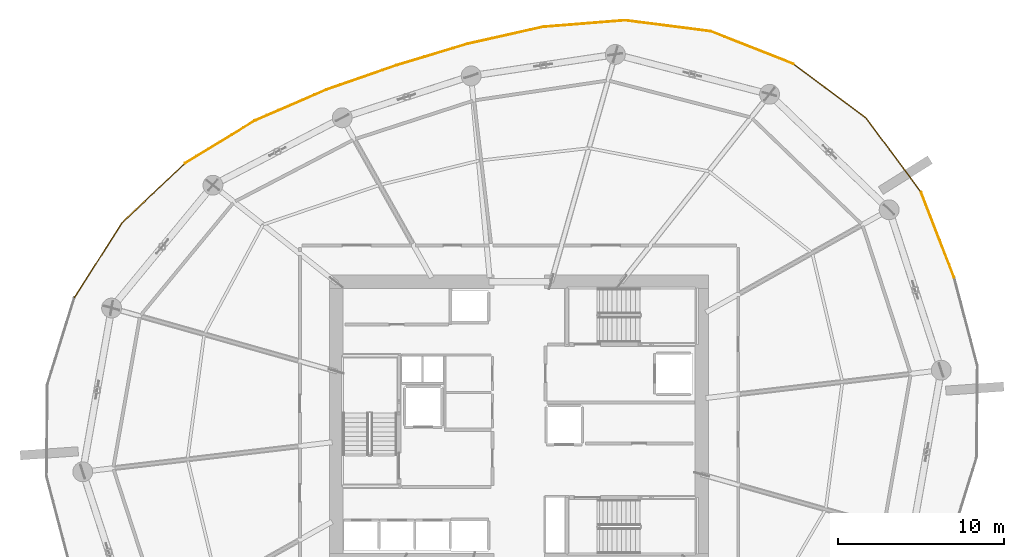
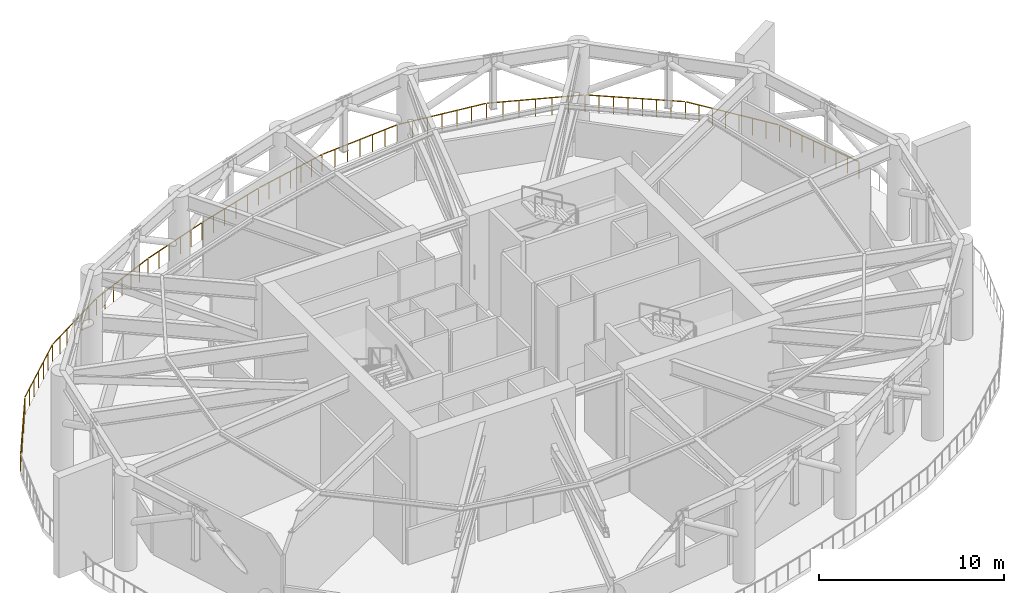
# One storey, part 19 of 19: 13 railings.
"""IFC4 building model written with IfcOpenShell, lengths in metres."""

from ifc_helpers import new_model, si_unit, direction, frame, origin, origin_2d, place, context, subcontext, project, spatial, rectangle, extrude, material, type_object, element, save


model = new_model("IFC4")

# Units and contexts
model_context = context("Model", 3, precision=1e-05, world=origin(), true_north=direction((0.0, 1.0)))
body_context = subcontext(model_context, "Body", "Model", "MODEL_VIEW")
ifc_project = project(units=[si_unit("LENGTHUNIT", "METRE"), si_unit("AREAUNIT", "SQUARE_METRE"), si_unit("VOLUMEUNIT", "CUBIC_METRE"), si_unit("PLANEANGLEUNIT", "RADIAN"), si_unit("MASSUNIT", "GRAM", prefix="KILO")], contexts=[model_context])

# Site, building, storey
site_placement = place(None, origin())
site = spatial("IfcSite", under=ifc_project, at=site_placement, CompositionType="ELEMENT")
building_placement = place(site_placement, origin())
building = spatial("IfcBuilding", under=site, at=building_placement, Name="Kazma Halo Residences", CompositionType="ELEMENT")
storey_placement = place(building_placement, frame((0.0, 0.0, 116.39990234375)))
storey = spatial("IfcBuildingStorey", under=building, at=storey_placement, Name="L29", CompositionType="ELEMENT", Elevation=116.39990234375)

# Railings
ifc_material = material(Name="Brushed Stainless Steel and Laminated Glass", Category="steel")
railing_type = type_object("IfcRailingType", Name="RLG-EXT-GUARD-1150", PredefinedType="GUARDRAIL", material=ifc_material)
railing_1_placement = place(storey_placement, frame((74.67138671875, 50.666015625, 0.0)))
element("IfcRailing", 1, at=railing_1_placement, inside=storey, type_object=railing_type, Name="L29 open wind-floor perimeter guard 01", PredefinedType="GUARDRAIL", context=body_context, shape_type="SweptSolid", body=[
    extrude(rectangle(XDim=0.050048828125, YDim=0.050048828125, at=origin_2d()), frame((-0.015380859375, 0.03955078125, 1.125), z_axis=(-0.362100806921, 0.93213894116, 0.0), x_axis=(-0.93213894116, -0.362100806921, 0.0)), (0.0, 0.0, 1.0), 5.440185546875),
    extrude(rectangle(XDim=0.0400390625, YDim=0.0400390625, at=origin_2d()), origin(), (0.0, 0.0, 1.0), 1.087890625),
    extrude(rectangle(XDim=0.0400390625, YDim=0.0400390625, at=origin_2d()), frame((-0.285888671875, 0.73583984375, 0.0)), (0.0, 0.0, 1.0), 1.087890625),
    extrude(rectangle(XDim=0.0400390625, YDim=0.0400390625, at=origin_2d()), frame((-0.571533203125, 1.471435546875, 0.0)), (0.0, 0.0, 1.0), 1.087890625),
    extrude(rectangle(XDim=0.0400390625, YDim=0.0400390625, at=origin_2d()), frame((-0.857421875, 2.207275390625, 0.0)), (0.0, 0.0, 1.0), 1.087890625),
    extrude(rectangle(XDim=0.0400390625, YDim=0.0400390625, at=origin_2d()), frame((-1.143310546875, 2.943115234375, 0.0)), (0.0, 0.0, 1.0), 1.087890625),
    extrude(rectangle(XDim=0.0400390625, YDim=0.0400390625, at=origin_2d()), frame((-1.42919921875, 3.678955078125, 0.0)), (0.0, 0.0, 1.0), 1.087890625),
    extrude(rectangle(XDim=0.0400390625, YDim=0.0400390625, at=origin_2d()), frame((-1.71484375, 4.41455078125, 0.0)), (0.0, 0.0, 1.0), 1.087890625),
    extrude(rectangle(XDim=0.0400390625, YDim=0.0400390625, at=origin_2d()), frame((-2.000732421875, 5.150390625, 0.0)), (0.0, 0.0, 1.0), 1.087890625),
])
railing_2_placement = place(storey_placement, frame((72.670654296875, 55.81640625, 0.0)))
element("IfcRailing", 2, at=railing_2_placement, inside=storey, type_object=railing_type, Name="L29 open wind-floor perimeter guard 02", PredefinedType="GUARDRAIL", context=body_context, shape_type="SweptSolid", body=[
    extrude(rectangle(XDim=0.050048828125, YDim=0.050048828125, at=origin_2d()), frame((-0.025390625, 0.0341796875, 1.125), z_axis=(-0.59531307632, 0.803493833929, 0.0), x_axis=(-0.803493833929, -0.59531307632, 0.0)), (0.0, 0.0, 1.0), 5.4443359375),
    extrude(rectangle(XDim=0.0400390625, YDim=0.0400390625, at=origin_2d()), origin(), (0.0, 0.0, 1.0), 1.087890625),
    extrude(rectangle(XDim=0.0400390625, YDim=0.0400390625, at=origin_2d()), frame((-0.47021484375, 0.634765625, 0.0)), (0.0, 0.0, 1.0), 1.087890625),
    extrude(rectangle(XDim=0.0400390625, YDim=0.0400390625, at=origin_2d()), frame((-0.9404296875, 1.269287109375, 0.0)), (0.0, 0.0, 1.0), 1.087890625),
    extrude(rectangle(XDim=0.0400390625, YDim=0.0400390625, at=origin_2d()), frame((-1.41064453125, 1.904052734375, 0.0)), (0.0, 0.0, 1.0), 1.087890625),
    extrude(rectangle(XDim=0.0400390625, YDim=0.0400390625, at=origin_2d()), frame((-1.881103515625, 2.538818359375, 0.0)), (0.0, 0.0, 1.0), 1.087890625),
    extrude(rectangle(XDim=0.0400390625, YDim=0.0400390625, at=origin_2d()), frame((-2.351318359375, 3.173583984375, 0.0)), (0.0, 0.0, 1.0), 1.087890625),
    extrude(rectangle(XDim=0.0400390625, YDim=0.0400390625, at=origin_2d()), frame((-2.821533203125, 3.80810546875, 0.0)), (0.0, 0.0, 1.0), 1.087890625),
    extrude(rectangle(XDim=0.0400390625, YDim=0.0400390625, at=origin_2d()), frame((-3.291748046875, 4.44287109375, 0.0)), (0.0, 0.0, 1.0), 1.087890625),
])
railing_3_placement = place(storey_placement, frame((69.37890625, 60.25927734375, 0.0)))
element("IfcRailing", 3, at=railing_3_placement, inside=storey, type_object=railing_type, Name="L29 open wind-floor perimeter guard 03", PredefinedType="GUARDRAIL", context=body_context, shape_type="SweptSolid", body=[
    extrude(rectangle(XDim=0.050048828125, YDim=0.050048828125, at=origin_2d()), frame((-0.0341796875, 0.025390625, 1.125), z_axis=(-0.801487224594, 0.598011896882, 0.0), x_axis=(-0.598011896882, -0.801487224594, 0.0)), (0.0, 0.0, 1.0), 5.40185546875),
    extrude(rectangle(XDim=0.0400390625, YDim=0.0400390625, at=origin_2d()), origin(), (0.0, 0.0, 1.0), 1.087890625),
    extrude(rectangle(XDim=0.0400390625, YDim=0.0400390625, at=origin_2d()), frame((-0.628173828125, 0.46875, 0.0)), (0.0, 0.0, 1.0), 1.087890625),
    extrude(rectangle(XDim=0.0400390625, YDim=0.0400390625, at=origin_2d()), frame((-1.256591796875, 0.9375, 0.0)), (0.0, 0.0, 1.0), 1.087890625),
    extrude(rectangle(XDim=0.0400390625, YDim=0.0400390625, at=origin_2d()), frame((-1.884765625, 1.40625, 0.0)), (0.0, 0.0, 1.0), 1.087890625),
    extrude(rectangle(XDim=0.0400390625, YDim=0.0400390625, at=origin_2d()), frame((-2.512939453125, 1.875, 0.0)), (0.0, 0.0, 1.0), 1.087890625),
    extrude(rectangle(XDim=0.0400390625, YDim=0.0400390625, at=origin_2d()), frame((-3.14111328125, 2.34375, 0.0)), (0.0, 0.0, 1.0), 1.087890625),
    extrude(rectangle(XDim=0.0400390625, YDim=0.0400390625, at=origin_2d()), frame((-3.76953125, 2.8125, 0.0)), (0.0, 0.0, 1.0), 1.087890625),
    extrude(rectangle(XDim=0.0400390625, YDim=0.0400390625, at=origin_2d()), frame((-4.397705078125, 3.28125, 0.0)), (0.0, 0.0, 1.0), 1.087890625),
])
railing_4_placement = place(storey_placement, frame((64.981201171875, 63.54052734375, 0.0)))
element("IfcRailing", 4, at=railing_4_placement, inside=storey, type_object=railing_type, Name="L29 open wind-floor perimeter guard 04", PredefinedType="GUARDRAIL", context=body_context, shape_type="SweptSolid", body=[
    extrude(rectangle(XDim=0.050048828125, YDim=0.050048828125, at=origin_2d()), frame((-0.03955078125, 0.015625, 1.125), z_axis=(-0.93031309232, 0.366766342864, 0.0), x_axis=(-0.366766342864, -0.93031309232, 0.0)), (0.0, 0.0, 1.0), 5.290771484375),
    extrude(rectangle(XDim=0.0400390625, YDim=0.0400390625, at=origin_2d()), origin(), (0.0, 0.0, 1.0), 1.087890625),
    extrude(rectangle(XDim=0.0400390625, YDim=0.0400390625, at=origin_2d()), frame((-0.83349609375, 0.32861328125, 0.0)), (0.0, 0.0, 1.0), 1.087890625),
    extrude(rectangle(XDim=0.0400390625, YDim=0.0400390625, at=origin_2d()), frame((-1.6669921875, 0.6572265625, 0.0)), (0.0, 0.0, 1.0), 1.087890625),
    extrude(rectangle(XDim=0.0400390625, YDim=0.0400390625, at=origin_2d()), frame((-2.50048828125, 0.98583984375, 0.0)), (0.0, 0.0, 1.0), 1.087890625),
    extrude(rectangle(XDim=0.0400390625, YDim=0.0400390625, at=origin_2d()), frame((-3.334228515625, 1.314453125, 0.0)), (0.0, 0.0, 1.0), 1.087890625),
    extrude(rectangle(XDim=0.0400390625, YDim=0.0400390625, at=origin_2d()), frame((-4.167724609375, 1.64306640625, 0.0)), (0.0, 0.0, 1.0), 1.087890625),
    extrude(rectangle(XDim=0.0400390625, YDim=0.0400390625, at=origin_2d()), frame((-5.001220703125, 1.9716796875, 0.0)), (0.0, 0.0, 1.0), 1.087890625),
])
railing_5_placement = place(storey_placement, frame((59.97998046875, 65.51220703125, 0.0)))
element("IfcRailing", 5, at=railing_5_placement, inside=storey, type_object=railing_type, Name="L29 open wind-floor perimeter guard 05", PredefinedType="GUARDRAIL", context=body_context, shape_type="SweptSolid", body=[
    extrude(rectangle(XDim=0.050048828125, YDim=0.050048828125, at=origin_2d()), frame((-0.042236328125, 0.00537109375, 1.125), z_axis=(-0.991972578276, 0.126453168993, 0.0), x_axis=(-0.126453168993, -0.991972578276, 0.0)), (0.0, 0.0, 1.0), 5.1201171875),
    extrude(rectangle(XDim=0.0400390625, YDim=0.0400390625, at=origin_2d()), origin(), (0.0, 0.0, 1.0), 1.087890625),
    extrude(rectangle(XDim=0.0400390625, YDim=0.0400390625, at=origin_2d()), frame((-0.860595703125, 0.109619140625, 0.0)), (0.0, 0.0, 1.0), 1.087890625),
    extrude(rectangle(XDim=0.0400390625, YDim=0.0400390625, at=origin_2d()), frame((-1.72119140625, 0.219482421875, 0.0)), (0.0, 0.0, 1.0), 1.087890625),
    extrude(rectangle(XDim=0.0400390625, YDim=0.0400390625, at=origin_2d()), frame((-2.58154296875, 0.3291015625, 0.0)), (0.0, 0.0, 1.0), 1.087890625),
    extrude(rectangle(XDim=0.0400390625, YDim=0.0400390625, at=origin_2d()), frame((-3.442138671875, 0.438720703125, 0.0)), (0.0, 0.0, 1.0), 1.087890625),
    extrude(rectangle(XDim=0.0400390625, YDim=0.0400390625, at=origin_2d()), frame((-4.302734375, 0.548583984375, 0.0)), (0.0, 0.0, 1.0), 1.087890625),
    extrude(rectangle(XDim=0.0400390625, YDim=0.0400390625, at=origin_2d()), frame((-5.163330078125, 0.658203125, 0.0)), (0.0, 0.0, 1.0), 1.087890625),
])
railing_6_placement = place(storey_placement, frame((54.816650390625, 66.17041015625, 0.0)))
element("IfcRailing", 6, at=railing_6_placement, inside=storey, type_object=railing_type, Name="L29 open wind-floor perimeter guard 06", PredefinedType="GUARDRAIL", context=body_context, shape_type="SweptSolid", body=[
    extrude(rectangle(XDim=0.050048828125, YDim=0.050048828125, at=origin_2d()), frame((-0.04248046875, -0.00341796875, 1.125), z_axis=(-0.996817468683, -0.07971784071, 0.0), x_axis=(0.07971784071, -0.996817468683, 0.0)), (0.0, 0.0, 1.0), 4.876220703125),
    extrude(rectangle(XDim=0.0400390625, YDim=0.0400390625, at=origin_2d()), origin(), (0.0, 0.0, 1.0), 1.087890625),
    extrude(rectangle(XDim=0.0400390625, YDim=0.0400390625, at=origin_2d()), frame((-0.82421875, -0.06591796875, 0.0)), (0.0, 0.0, 1.0), 1.087890625),
    extrude(rectangle(XDim=0.0400390625, YDim=0.0400390625, at=origin_2d()), frame((-1.6484375, -0.1318359375, 0.0)), (0.0, 0.0, 1.0), 1.087890625),
    extrude(rectangle(XDim=0.0400390625, YDim=0.0400390625, at=origin_2d()), frame((-2.47265625, -0.19775390625, 0.0)), (0.0, 0.0, 1.0), 1.087890625),
    extrude(rectangle(XDim=0.0400390625, YDim=0.0400390625, at=origin_2d()), frame((-3.297119140625, -0.263671875, 0.0)), (0.0, 0.0, 1.0), 1.087890625),
    extrude(rectangle(XDim=0.0400390625, YDim=0.0400390625, at=origin_2d()), frame((-4.121337890625, -0.32958984375, 0.0)), (0.0, 0.0, 1.0), 1.087890625),
    extrude(rectangle(XDim=0.0400390625, YDim=0.0400390625, at=origin_2d()), frame((-4.945556640625, -0.3955078125, 0.0)), (0.0, 0.0, 1.0), 1.087890625),
])
railing_7_placement = place(storey_placement, frame((49.87109375, 65.77490234375, 0.0)))
element("IfcRailing", 7, at=railing_7_placement, inside=storey, type_object=railing_type, Name="L29 open wind-floor perimeter guard 07", PredefinedType="GUARDRAIL", context=body_context, shape_type="SweptSolid", body=[
    extrude(rectangle(XDim=0.050048828125, YDim=0.050048828125, at=origin_2d()), frame((-0.04150390625, -0.00927734375, 1.125), z_axis=(-0.975709421782, -0.21906876602, 0.0), x_axis=(0.21906876602, -0.975709421782, 0.0)), (0.0, 0.0, 1.0), 4.59228515625),
    extrude(rectangle(XDim=0.0400390625, YDim=0.0400390625, at=origin_2d()), origin(), (0.0, 0.0, 1.0), 1.087890625),
    extrude(rectangle(XDim=0.0400390625, YDim=0.0400390625, at=origin_2d()), frame((-0.7607421875, -0.1708984375, 0.0)), (0.0, 0.0, 1.0), 1.087890625),
    extrude(rectangle(XDim=0.0400390625, YDim=0.0400390625, at=origin_2d()), frame((-1.521240234375, -0.341552734375, 0.0)), (0.0, 0.0, 1.0), 1.087890625),
    extrude(rectangle(XDim=0.0400390625, YDim=0.0400390625, at=origin_2d()), frame((-2.28173828125, -0.51220703125, 0.0)), (0.0, 0.0, 1.0), 1.087890625),
    extrude(rectangle(XDim=0.0400390625, YDim=0.0400390625, at=origin_2d()), frame((-3.04248046875, -0.68310546875, 0.0)), (0.0, 0.0, 1.0), 1.087890625),
    extrude(rectangle(XDim=0.0400390625, YDim=0.0400390625, at=origin_2d()), frame((-3.80322265625, -0.85400390625, 0.0)), (0.0, 0.0, 1.0), 1.087890625),
    extrude(rectangle(XDim=0.0400390625, YDim=0.0400390625, at=origin_2d()), frame((-4.563720703125, -1.024658203125, 0.0)), (0.0, 0.0, 1.0), 1.087890625),
])
railing_8_placement = place(storey_placement, frame((45.307373046875, 64.750244140625, 0.0)))
element("IfcRailing", 8, at=railing_8_placement, inside=storey, type_object=railing_type, Name="L29 open wind-floor perimeter guard 08", PredefinedType="GUARDRAIL", context=body_context, shape_type="SweptSolid", body=[
    extrude(rectangle(XDim=0.050048828125, YDim=0.050048828125, at=origin_2d()), frame((-0.040771484375, -0.01220703125, 1.125), z_axis=(-0.957259261611, -0.289231232856, 0.0), x_axis=(0.289231232856, -0.957259261611, 0.0)), (0.0, 0.0, 1.0), 4.38525390625),
    extrude(rectangle(XDim=0.0400390625, YDim=0.0400390625, at=origin_2d()), origin(), (0.0, 0.0, 1.0), 1.087890625),
    extrude(rectangle(XDim=0.0400390625, YDim=0.0400390625, at=origin_2d()), frame((-0.85595703125, -0.258544921875, 0.0)), (0.0, 0.0, 1.0), 1.087890625),
    extrude(rectangle(XDim=0.0400390625, YDim=0.0400390625, at=origin_2d()), frame((-1.711669921875, -0.51708984375, 0.0)), (0.0, 0.0, 1.0), 1.087890625),
    extrude(rectangle(XDim=0.0400390625, YDim=0.0400390625, at=origin_2d()), frame((-2.567626953125, -0.77587890625, 0.0)), (0.0, 0.0, 1.0), 1.087890625),
    extrude(rectangle(XDim=0.0400390625, YDim=0.0400390625, at=origin_2d()), frame((-3.42333984375, -1.034423828125, 0.0)), (0.0, 0.0, 1.0), 1.087890625),
    extrude(rectangle(XDim=0.0400390625, YDim=0.0400390625, at=origin_2d()), frame((-4.279296875, -1.29296875, 0.0)), (0.0, 0.0, 1.0), 1.087890625),
])
railing_9_placement = place(storey_placement, frame((41.028076171875, 63.457275390625, 0.0)))
element("IfcRailing", 9, at=railing_9_placement, inside=storey, type_object=railing_type, Name="L29 open wind-floor perimeter guard 09", PredefinedType="GUARDRAIL", context=body_context, shape_type="SweptSolid", body=[
    extrude(rectangle(XDim=0.050048828125, YDim=0.050048828125, at=origin_2d()), frame((-0.040283203125, -0.013916015625, 1.125), z_axis=(-0.944445210005, -0.328668899197, 0.0), x_axis=(0.328668899197, -0.944445210005, 0.0)), (0.0, 0.0, 1.0), 4.38525390625),
    extrude(rectangle(XDim=0.0400390625, YDim=0.0400390625, at=origin_2d()), origin(), (0.0, 0.0, 1.0), 1.087890625),
    extrude(rectangle(XDim=0.0400390625, YDim=0.0400390625, at=origin_2d()), frame((-0.844482421875, -0.2939453125, 0.0)), (0.0, 0.0, 1.0), 1.087890625),
    extrude(rectangle(XDim=0.0400390625, YDim=0.0400390625, at=origin_2d()), frame((-1.688720703125, -0.587646484375, 0.0)), (0.0, 0.0, 1.0), 1.087890625),
    extrude(rectangle(XDim=0.0400390625, YDim=0.0400390625, at=origin_2d()), frame((-2.533203125, -0.881591796875, 0.0)), (0.0, 0.0, 1.0), 1.087890625),
    extrude(rectangle(XDim=0.0400390625, YDim=0.0400390625, at=origin_2d()), frame((-3.37744140625, -1.17529296875, 0.0)), (0.0, 0.0, 1.0), 1.087890625),
    extrude(rectangle(XDim=0.0400390625, YDim=0.0400390625, at=origin_2d()), frame((-4.221923828125, -1.46923828125, 0.0)), (0.0, 0.0, 1.0), 1.087890625),
])
railing_10_placement = place(storey_placement, frame((36.80615234375, 61.988037109375, 0.0)))
element("IfcRailing", 10, at=railing_10_placement, inside=storey, type_object=railing_type, Name="L29 open wind-floor perimeter guard 10", PredefinedType="GUARDRAIL", context=body_context, shape_type="SweptSolid", body=[
    extrude(rectangle(XDim=0.050048828125, YDim=0.050048828125, at=origin_2d()), frame((-0.0390625, -0.016845703125, 1.125), z_axis=(-0.918132282696, -0.396274035829, 0.0), x_axis=(0.396274035829, -0.918132282696, 0.0)), (0.0, 0.0, 1.0), 4.59228515625),
    extrude(rectangle(XDim=0.0400390625, YDim=0.0400390625, at=origin_2d()), origin(), (0.0, 0.0, 1.0), 1.087890625),
    extrude(rectangle(XDim=0.0400390625, YDim=0.0400390625, at=origin_2d()), frame((-0.7158203125, -0.308837890625, 0.0)), (0.0, 0.0, 1.0), 1.087890625),
    extrude(rectangle(XDim=0.0400390625, YDim=0.0400390625, at=origin_2d()), frame((-1.431396484375, -0.617919921875, 0.0)), (0.0, 0.0, 1.0), 1.087890625),
    extrude(rectangle(XDim=0.0400390625, YDim=0.0400390625, at=origin_2d()), frame((-2.147216796875, -0.9267578125, 0.0)), (0.0, 0.0, 1.0), 1.087890625),
    extrude(rectangle(XDim=0.0400390625, YDim=0.0400390625, at=origin_2d()), frame((-2.863037109375, -1.235595703125, 0.0)), (0.0, 0.0, 1.0), 1.087890625),
    extrude(rectangle(XDim=0.0400390625, YDim=0.0400390625, at=origin_2d()), frame((-3.57861328125, -1.544677734375, 0.0)), (0.0, 0.0, 1.0), 1.087890625),
    extrude(rectangle(XDim=0.0400390625, YDim=0.0400390625, at=origin_2d()), frame((-4.29443359375, -1.853515625, 0.0)), (0.0, 0.0, 1.0), 1.087890625),
])
railing_11_placement = place(storey_placement, frame((32.51171875, 60.134521484375, 0.0)))
element("IfcRailing", 11, at=railing_11_placement, inside=storey, type_object=railing_type, Name="L29 open wind-floor perimeter guard 11", PredefinedType="GUARDRAIL", context=body_context, shape_type="SweptSolid", body=[
    extrude(rectangle(XDim=0.050048828125, YDim=0.050048828125, at=origin_2d()), frame((-0.036376953125, -0.022216796875, 1.125), z_axis=(-0.853274535236, -0.521461952128, 0.0), x_axis=(0.521461952128, -0.853274535236, 0.0)), (0.0, 0.0, 1.0), 4.876220703125),
    extrude(rectangle(XDim=0.0400390625, YDim=0.0400390625, at=origin_2d()), origin(), (0.0, 0.0, 1.0), 1.087890625),
    extrude(rectangle(XDim=0.0400390625, YDim=0.0400390625, at=origin_2d()), frame((-0.70556640625, -0.43115234375, 0.0)), (0.0, 0.0, 1.0), 1.087890625),
    extrude(rectangle(XDim=0.0400390625, YDim=0.0400390625, at=origin_2d()), frame((-1.4111328125, -0.8623046875, 0.0)), (0.0, 0.0, 1.0), 1.087890625),
    extrude(rectangle(XDim=0.0400390625, YDim=0.0400390625, at=origin_2d()), frame((-2.11669921875, -1.29345703125, 0.0)), (0.0, 0.0, 1.0), 1.087890625),
    extrude(rectangle(XDim=0.0400390625, YDim=0.0400390625, at=origin_2d()), frame((-2.822265625, -1.724853515625, 0.0)), (0.0, 0.0, 1.0), 1.087890625),
    extrude(rectangle(XDim=0.0400390625, YDim=0.0400390625, at=origin_2d()), frame((-3.52783203125, -2.156005859375, 0.0)), (0.0, 0.0, 1.0), 1.087890625),
    extrude(rectangle(XDim=0.0400390625, YDim=0.0400390625, at=origin_2d()), frame((-4.2333984375, -2.587158203125, 0.0)), (0.0, 0.0, 1.0), 1.087890625),
])
railing_12_placement = place(storey_placement, frame((28.2783203125, 57.54736328125, 0.0)))
element("IfcRailing", 12, at=railing_12_placement, inside=storey, type_object=railing_type, Name="L29 open wind-floor perimeter guard 12", PredefinedType="GUARDRAIL", context=body_context, shape_type="SweptSolid", body=[
    extrude(rectangle(XDim=0.050048828125, YDim=0.050048828125, at=origin_2d()), frame((-0.031005859375, -0.029052734375, 1.125), z_axis=(-0.728216516119, -0.685347142441, 0.0), x_axis=(0.685347142441, -0.728216516119, 0.0)), (0.0, 0.0, 1.0), 5.1201171875),
    extrude(rectangle(XDim=0.0400390625, YDim=0.0400390625, at=origin_2d()), origin(), (0.0, 0.0, 1.0), 1.087890625),
    extrude(rectangle(XDim=0.0400390625, YDim=0.0400390625, at=origin_2d()), frame((-0.6318359375, -0.594482421875, 0.0)), (0.0, 0.0, 1.0), 1.087890625),
    extrude(rectangle(XDim=0.0400390625, YDim=0.0400390625, at=origin_2d()), frame((-1.263427734375, -1.189208984375, 0.0)), (0.0, 0.0, 1.0), 1.087890625),
    extrude(rectangle(XDim=0.0400390625, YDim=0.0400390625, at=origin_2d()), frame((-1.895263671875, -1.78369140625, 0.0)), (0.0, 0.0, 1.0), 1.087890625),
    extrude(rectangle(XDim=0.0400390625, YDim=0.0400390625, at=origin_2d()), frame((-2.527099609375, -2.378173828125, 0.0)), (0.0, 0.0, 1.0), 1.087890625),
    extrude(rectangle(XDim=0.0400390625, YDim=0.0400390625, at=origin_2d()), frame((-3.15869140625, -2.972900390625, 0.0)), (0.0, 0.0, 1.0), 1.087890625),
    extrude(rectangle(XDim=0.0400390625, YDim=0.0400390625, at=origin_2d()), frame((-3.79052734375, -3.5673828125, 0.0)), (0.0, 0.0, 1.0), 1.087890625),
])
railing_13_placement = place(storey_placement, frame((24.48779296875, 53.97998046875, 0.0)))
element("IfcRailing", 13, at=railing_13_placement, inside=storey, type_object=railing_type, Name="L29 open wind-floor perimeter guard 13", PredefinedType="GUARDRAIL", context=body_context, shape_type="SweptSolid", body=[
    extrude(rectangle(XDim=0.050048828125, YDim=0.050048828125, at=origin_2d()), frame((-0.02294921875, -0.035888671875, 1.125), z_axis=(-0.537075302208, -0.843534302656, 0.0), x_axis=(0.843534302656, -0.537075302208, 0.0)), (0.0, 0.0, 1.0), 5.290771484375),
    extrude(rectangle(XDim=0.0400390625, YDim=0.0400390625, at=origin_2d()), origin(), (0.0, 0.0, 1.0), 1.087890625),
    extrude(rectangle(XDim=0.0400390625, YDim=0.0400390625, at=origin_2d()), frame((-0.481201171875, -0.755859375, 0.0)), (0.0, 0.0, 1.0), 1.087890625),
    extrude(rectangle(XDim=0.0400390625, YDim=0.0400390625, at=origin_2d()), frame((-0.96240234375, -1.511474609375, 0.0)), (0.0, 0.0, 1.0), 1.087890625),
    extrude(rectangle(XDim=0.0400390625, YDim=0.0400390625, at=origin_2d()), frame((-1.443603515625, -2.267333984375, 0.0)), (0.0, 0.0, 1.0), 1.087890625),
    extrude(rectangle(XDim=0.0400390625, YDim=0.0400390625, at=origin_2d()), frame((-1.9248046875, -3.023193359375, 0.0)), (0.0, 0.0, 1.0), 1.087890625),
    extrude(rectangle(XDim=0.0400390625, YDim=0.0400390625, at=origin_2d()), frame((-2.406005859375, -3.77880859375, 0.0)), (0.0, 0.0, 1.0), 1.087890625),
    extrude(rectangle(XDim=0.0400390625, YDim=0.0400390625, at=origin_2d()), frame((-2.88720703125, -4.53466796875, 0.0)), (0.0, 0.0, 1.0), 1.087890625),
])

save(model, "model.ifc")
